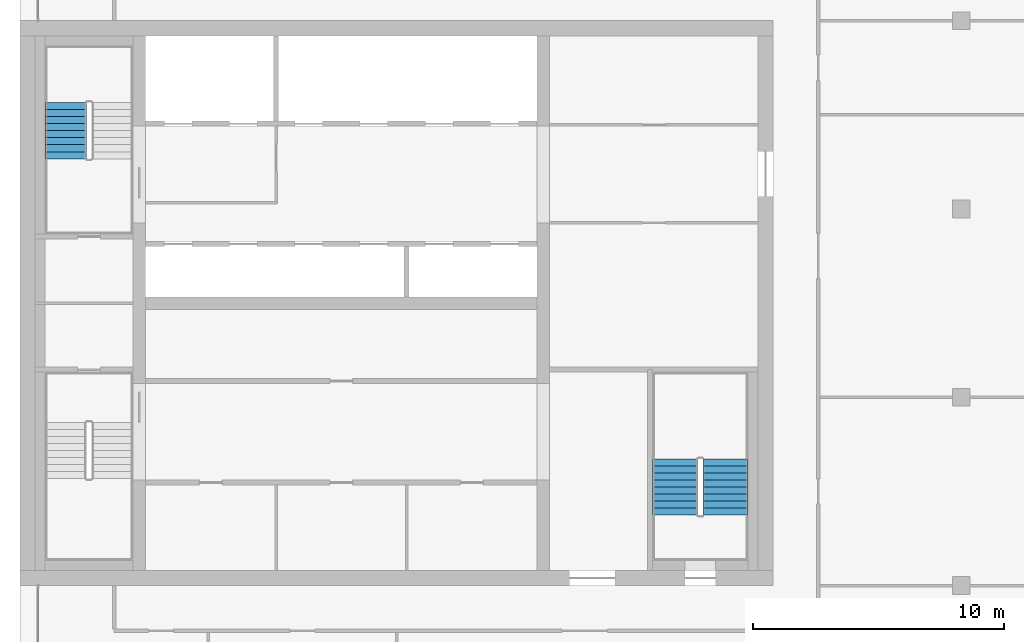
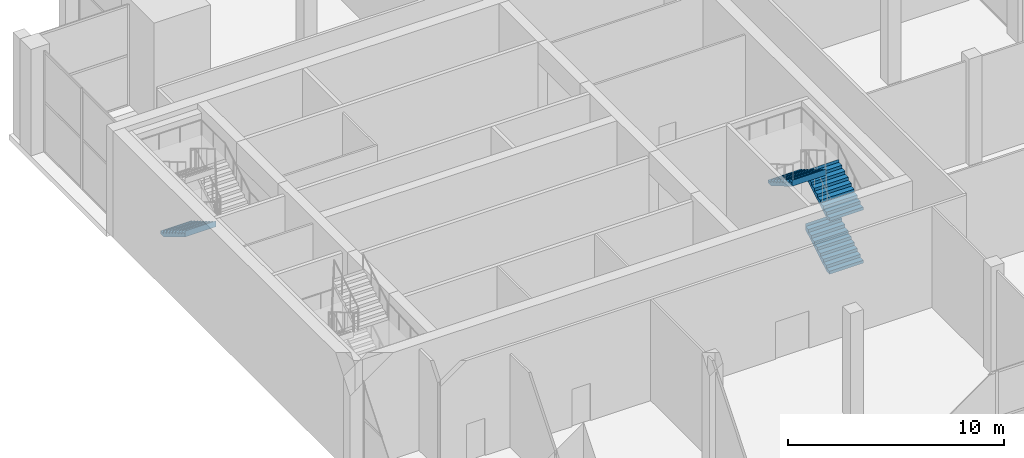
# One storey, part 12 of 15: 4 stair flights, 2 elements without a shape of their own.
"""IFC4 building model written with IfcOpenShell, lengths in metres."""

import ifcopenshell
import ifcopenshell.guid

model = None  # the IFC model being written
_history = None  # IfcOwnerHistory: only IFC2X3 demands one
_inside = {}  # id of a spatial element -> (the spatial element, [elements in it])
_under = {}  # id of a project, library or spatial element -> (it, [spatial elements below it])
_declared = {}  # id of a project -> (the project, [libraries it declares])
_typed = {}  # id of a type object -> (the type object, [elements of that type])
_made_of = {}  # id of a material, layer set ... -> (it, [elements and type objects made of it])


def new_model(schema):
    """Start an empty IFC model of exactly this schema.

    Asked for "IFC4X3", IfcOpenShell would pick the latest addendum, in which some entities
    have other attributes; the version numbers below select the first issue.
    IFC2X3 requires an IfcOwnerHistory on every rooted entity: one is made here for all.
    """
    global model, _history
    if schema == "IFC4X3":
        model = ifcopenshell.file(schema_version=(4, 3, 0, 0))
    else:
        model = ifcopenshell.file(schema=schema)
    _inside.clear()
    _under.clear()
    _declared.clear()
    _typed.clear()
    _made_of.clear()
    _history = None
    if model.schema == "IFC2X3":
        org = make("IfcOrganization", Name="unknown")
        user = make(
            "IfcPersonAndOrganization",
            ThePerson=make("IfcPerson", FamilyName="unknown"),
            TheOrganization=org,
        )
        app = make(
            "IfcApplication",
            ApplicationDeveloper=org,
            Version="unknown",
            ApplicationFullName="unknown",
            ApplicationIdentifier="unknown",
        )
        _history = make(
            "IfcOwnerHistory",
            OwningUser=user,
            OwningApplication=app,
            ChangeAction="ADDED",
            CreationDate=0,
        )
    return model


def make(cls, **values):
    """One entity of the class cls with the attributes given. An attribute that is None is left unset."""
    return model.create_entity(
        cls, **{name: value for name, value in values.items() if value is not None}
    )


def rooted(cls, **values):
    """An entity with a GlobalId (a new one), such as an element, a storey or a relation."""
    return make(cls, GlobalId=ifcopenshell.guid.new(), OwnerHistory=_history, **values)


def si_unit(unit_type, name, prefix=None):
    """IfcSIUnit, for example si_unit("LENGTHUNIT", "METRE", prefix="MILLI")."""
    return make("IfcSIUnit", UnitType=unit_type, Prefix=prefix, Name=name)


def assignment(units):
    """IfcUnitAssignment: the units of a project."""
    return None if units is None else make("IfcUnitAssignment", Units=units)


def point(xyz):
    """IfcCartesianPoint."""
    return None if xyz is None else make("IfcCartesianPoint", Coordinates=xyz)


def direction(xyz):
    """IfcDirection."""
    return None if xyz is None else make("IfcDirection", DirectionRatios=xyz)


def frame(location, z_axis=None, x_axis=None):
    """IfcAxis2Placement3D, a coordinate frame: its origin and axes. An axis left out is left unset."""
    return make(
        "IfcAxis2Placement3D",
        Location=point(location),
        Axis=direction(z_axis),
        RefDirection=direction(x_axis),
    )


def origin():
    """The frame at (0, 0, 0) with its axes left unset."""
    return frame((0.0, 0.0, 0.0))


def place(relative_to, where):
    """IfcLocalPlacement: puts the frame where relative to a parent placement (None: the world)."""
    return make(
        "IfcLocalPlacement", PlacementRelTo=relative_to, RelativePlacement=where
    )


def context(
    kind, dimensions, precision=None, world=None, true_north=None, identifier=None
):
    """IfcGeometricRepresentationContext, for example the 3D "Model" context."""
    return make(
        "IfcGeometricRepresentationContext",
        ContextIdentifier=identifier,
        ContextType=kind,
        CoordinateSpaceDimension=dimensions,
        Precision=precision,
        WorldCoordinateSystem=world,
        TrueNorth=true_north,
    )


def subcontext(parent, identifier, kind, view, scale=None):
    """IfcGeometricRepresentationSubContext, for example "Body" below "Model"."""
    return make(
        "IfcGeometricRepresentationSubContext",
        ContextIdentifier=identifier,
        ContextType=kind,
        ParentContext=parent,
        TargetScale=scale,
        TargetView=view,
    )


def project(units=None, contexts=None):
    """IfcProject with its units and contexts."""
    return rooted(
        "IfcProject",
        Name="project",
        RepresentationContexts=contexts,
        UnitsInContext=assignment(units),
    )


def spatial(cls, under=None, at=None, **own):
    """A site, building, storey or space (cls), placed at a placement, below another one or the project."""
    s = rooted(cls, ObjectPlacement=at, **own)
    if under is not None:
        _under.setdefault(under.id(), (under, []))[1].append(s)
    return s


def polyline(points):
    """IfcPolyline through the points."""
    return make("IfcPolyline", Points=[point(p) for p in points])


def outline(outer, holes=None, kind="AREA"):
    """IfcArbitraryClosedProfileDef: a profile drawn as a closed curve; with holes, ...WithVoids."""
    if holes is None:
        return make("IfcArbitraryClosedProfileDef", ProfileType=kind, OuterCurve=outer)
    return make(
        "IfcArbitraryProfileDefWithVoids",
        ProfileType=kind,
        OuterCurve=outer,
        InnerCurves=holes,
    )


def extrude(swept, where, along, depth):
    """IfcExtrudedAreaSolid: the profile swept, set in the frame where, extruded along a direction by depth."""
    return make(
        "IfcExtrudedAreaSolid",
        SweptArea=swept,
        Position=where,
        ExtrudedDirection=direction(along),
        Depth=depth,
    )


def shape(context_of_items, identifier, shape_type, items):
    """IfcShapeRepresentation: the items that make up one representation, for example the "Body"."""
    return make(
        "IfcShapeRepresentation",
        ContextOfItems=context_of_items,
        RepresentationIdentifier=identifier,
        RepresentationType=shape_type,
        Items=items,
    )


def material(Name=None, Category=None):
    """IfcMaterial."""
    return make("IfcMaterial", Name=Name, Category=Category)


def made_of(thing, what):
    """Note that an element or type object is made of a material, layer set ...; save() writes the relation."""
    if what is not None:
        _made_of.setdefault(what.id(), (what, []))[1].append(thing)
    return thing


def type_object(cls, material=None, **own):
    """A type object (cls), such as IfcWallType, which elements share."""
    return made_of(rooted(cls, **own), material)


def element(
    cls,
    number,
    at=None,
    inside=None,
    cuts=None,
    type_object=None,
    material=None,
    context=None,
    identifier="Body",
    shape_type=None,
    held_by="IfcProductDefinitionShape",
    body=None,
    shapes=None,
    **own,
):
    """One element of the class cls, such as IfcWall. Its Tag is "e" and its number.

    at: its placement. inside: the storey or other place that contains it. cuts: it is an
    opening in that element (IfcRelVoidsElement). A single representation is given by context,
    identifier, shape_type and body (its items); several are given by shapes. held_by: the class
    of the entity that holds the representations. save() writes the other relations.
    """
    e = rooted(cls, Tag="e%d" % number, ObjectPlacement=at, **own)
    if body is not None:
        shapes = [shape(context, identifier, shape_type, body)]
    if shapes is not None:
        e.Representation = make(held_by, Representations=shapes)
    if inside is not None:
        _inside.setdefault(inside.id(), (inside, []))[1].append(e)
    if cuts is not None:
        rooted(
            "IfcRelVoidsElement", RelatingBuildingElement=cuts, RelatedOpeningElement=e
        )
    if type_object is not None:
        _typed.setdefault(type_object.id(), (type_object, []))[1].append(e)
    return made_of(e, material)


def aggregate(whole, parts):
    """IfcRelAggregates: a whole, such as a stair, and the parts it consists of."""
    return rooted("IfcRelAggregates", RelatingObject=whole, RelatedObjects=parts)


def save(model, path):
    """Write the relations noted so far, then the file.

    IfcRelAggregates (storeys below a building ...), IfcRelContainedInSpatialStructure (elements
    in a storey), IfcRelDefinesByType, IfcRelAssociatesMaterial and IfcRelDeclares: one each for
    every whole, place, type object, material and project.
    """
    for whole, parts in _under.values():
        aggregate(whole, parts)
    for where, things in _inside.values():
        rooted(
            "IfcRelContainedInSpatialStructure",
            RelatedElements=things,
            RelatingStructure=where,
        )
    for kind, things in _typed.values():
        rooted("IfcRelDefinesByType", RelatedObjects=things, RelatingType=kind)
    for what, things in _made_of.values():
        rooted("IfcRelAssociatesMaterial", RelatedObjects=things, RelatingMaterial=what)
    for by, libraries in _declared.values():
        rooted("IfcRelDeclares", RelatingContext=by, RelatedDefinitions=libraries)
    model.write(path)


model = new_model("IFC4")

# Units and contexts
model_context = context("Model", 3, precision=1e-05, world=origin(), true_north=direction((0.0, 1.0)))
body_context = subcontext(model_context, "Body", "Model", "MODEL_VIEW")
ifc_project = project(units=[si_unit("LENGTHUNIT", "METRE"), si_unit("AREAUNIT", "SQUARE_METRE"), si_unit("VOLUMEUNIT", "CUBIC_METRE"), si_unit("PLANEANGLEUNIT", "RADIAN"), si_unit("MASSUNIT", "GRAM", prefix="KILO")], contexts=[model_context])

# Site, building, storey
site_placement = place(None, origin())
site = spatial("IfcSite", under=ifc_project, at=site_placement, CompositionType="ELEMENT")
building_placement = place(site_placement, origin())
building = spatial("IfcBuilding", under=site, at=building_placement, Name="Tamorin Gate", CompositionType="ELEMENT")
storey_placement = place(building_placement, frame((0.0, 0.0, 302.699951171875)))
storey = spatial("IfcBuildingStorey", under=building, at=storey_placement, Name="L75", CompositionType="ELEMENT", Elevation=302.699951171875)

# Stair, stair flight
ifc_material = material(Name="Concrete C40/50", Category="concrete")
stair_type = type_object("IfcStairType", Name="Exit stair", PredefinedType="HALF_TURN_STAIR", material=ifc_material)
stair_1_placement = place(storey_placement, origin())
stair_1 = element("IfcStair", 1, at=stair_1_placement, inside=storey, type_object=stair_type, Name="L75 stair ST2", PredefinedType="HALF_TURN_STAIR")
stair_flight_type = type_object("IfcStairFlightType", Name="Exit stair flight", PredefinedType="STRAIGHT", material=ifc_material)
stair_flight_1_placement = place(storey_placement, frame((31.824951171875, 79.239990234375, 1.5), z_axis=(0.0, 0.0, 1.0), x_axis=(0.0, -1.0, 0.0)))
stair_flight_1 = element("IfcStairFlight", 2, at=stair_flight_1_placement, type_object=stair_flight_type, Name="ST2 flight 2", NumberOfRisers=9, NumberOfTreads=8, PredefinedType="STRAIGHT", RiserHeight=0.166666667, TreadLength=0.28, context=body_context, shape_type="SweptSolid", body=[
    extrude(outline(polyline([(-0.00048828125, 0.0), (-0.00048828125, 0.001708984375), (-0.00048828125, 0.00341796875), (-0.00048828125, 0.0048828125), (-0.00048828125, 0.006591796875), (-0.00048828125, 0.00830078125), (-0.00048828125, 0.010009765625), (-0.00048828125, 0.011474609375), (-0.00048828125, 0.01318359375), (-0.00048828125, 0.014892578125), (-0.00048828125, 0.0166015625), (-0.00048828125, 0.01806640625), (-0.00048828125, 0.019775390625), (-0.00048828125, 0.021484375), (-0.00048828125, 0.023193359375), (-0.00048828125, 0.024658203125), (-0.00048828125, 0.0263671875), (-0.00048828125, 0.028076171875), (-0.00048828125, 0.02978515625), (-0.00048828125, 0.03125), (-0.00048828125, 0.032958984375), (-0.00048828125, 0.03466796875), (-0.00048828125, 0.036376953125), (-0.00048828125, 0.037841796875), (-0.00048828125, 0.03955078125), (-0.00048828125, 0.041259765625), (-0.00048828125, 0.04296875), (-0.00048828125, 0.04443359375), (-0.00048828125, 0.046142578125), (-0.00048828125, 0.0478515625), (-0.00048828125, 0.049560546875), (-0.00048828125, 0.05126953125), (-0.00048828125, 0.052734375), (-0.00048828125, 0.054443359375), (-0.00048828125, 0.05615234375), (-0.00048828125, 0.057861328125), (-0.00048828125, 0.059326171875), (-0.00048828125, 0.06103515625), (-0.00048828125, 0.062744140625), (-0.00048828125, 0.064453125), (-0.00048828125, 0.06591796875), (-0.00048828125, 0.067626953125), (-0.00048828125, 0.0693359375), (-0.00048828125, 0.071044921875), (-0.00048828125, 0.072509765625), (-0.00048828125, 0.07421875), (-0.00048828125, 0.075927734375), (-0.00048828125, 0.07763671875), (-0.00048828125, 0.0791015625), (-0.00048828125, 0.080810546875), (-0.00048828125, 0.08251953125), (-0.00048828125, 0.084228515625), (-0.00048828125, 0.085693359375), (-0.00048828125, 0.08740234375), (-0.00048828125, 0.089111328125), (-0.00048828125, 0.0908203125), (-0.00048828125, 0.092529296875), (-0.00048828125, 0.093994140625), (-0.00048828125, 0.095703125), (-0.00048828125, 0.097412109375), (-0.00048828125, 0.09912109375), (-0.00048828125, 0.1005859375), (-0.00048828125, 0.102294921875), (-0.00048828125, 0.10400390625), (-0.00048828125, 0.105712890625), (-0.00048828125, 0.107177734375), (-0.00048828125, 0.10888671875), (-0.00048828125, 0.110595703125), (-0.00048828125, 0.1123046875), (-0.00048828125, 0.11376953125), (-0.00048828125, 0.115478515625), (-0.00048828125, 0.1171875), (-0.00048828125, 0.118896484375), (-0.00048828125, 0.120361328125), (-0.00048828125, 0.1220703125), (-0.00048828125, 0.123779296875), (-0.00048828125, 0.12548828125), (-0.00048828125, 0.126953125), (-0.00048828125, 0.128662109375), (-0.00048828125, 0.13037109375), (-0.00048828125, 0.132080078125), (-0.00048828125, 0.133544921875), (-0.00048828125, 0.13525390625), (-0.00048828125, 0.136962890625), (-0.00048828125, 0.138671875), (-0.00048828125, 0.140380859375), (-0.00048828125, 0.141845703125), (-0.00048828125, 0.1435546875), (-0.00048828125, 0.145263671875), (-0.00048828125, 0.14697265625), (-0.00048828125, 0.1484375), (-0.00048828125, 0.150146484375), (-0.00048828125, 0.15185546875), (-0.00048828125, 0.153564453125), (-0.00048828125, 0.155029296875), (-0.00048828125, 0.15673828125), (-0.00048828125, 0.158447265625), (-0.00048828125, 0.16015625), (-0.00048828125, 0.16162109375), (-0.00048828125, 0.163330078125), (-0.00048828125, 0.1650390625), (-0.00048828125, 0.166748046875), (0.280029296875, 0.166748046875), (0.280029296875, 0.333251953125), (0.56005859375, 0.333251953125), (0.56005859375, 0.5), (0.840087890625, 0.5), (0.840087890625, 0.666748046875), (1.1201171875, 0.666748046875), (1.1201171875, 0.833251953125), (1.39990234375, 0.833251953125), (1.39990234375, 1.0), (1.679931640625, 1.0), (1.679931640625, 1.166748046875), (1.9599609375, 1.166748046875), (1.9599609375, 1.333251953125), (2.239990234375, 1.333251953125), (2.239990234375, 1.5), (2.240478515625, 1.5), (2.240478515625, 1.49658203125), (2.240478515625, 1.4931640625), (2.240478515625, 1.48974609375), (2.240478515625, 1.486572265625), (2.240478515625, 1.483154296875), (2.240478515625, 1.479736328125), (2.240478515625, 1.476318359375), (2.240478515625, 1.472900390625), (2.240478515625, 1.469482421875), (2.240478515625, 1.46630859375), (2.240478515625, 1.462890625), (2.240478515625, 1.45947265625), (2.240478515625, 1.4560546875), (2.240478515625, 1.45263671875), (2.240478515625, 1.44921875), (2.240478515625, 1.446044921875), (2.240478515625, 1.442626953125), (2.240478515625, 1.439208984375), (2.240478515625, 1.435791015625), (2.240478515625, 1.432373046875), (2.240478515625, 1.428955078125), (2.240478515625, 1.42578125), (2.240478515625, 1.42236328125), (2.240478515625, 1.4189453125), (2.240478515625, 1.41552734375), (2.240478515625, 1.412109375), (2.240478515625, 1.40869140625), (2.240478515625, 1.405517578125), (2.240478515625, 1.402099609375), (2.240478515625, 1.398681640625), (2.240478515625, 1.395263671875), (2.240478515625, 1.391845703125), (2.240478515625, 1.388427734375), (2.240478515625, 1.38525390625), (2.240478515625, 1.3818359375), (2.240478515625, 1.37841796875), (2.240478515625, 1.375), (2.240478515625, 1.37158203125), (2.240478515625, 1.3681640625), (2.240478515625, 1.364990234375), (2.240478515625, 1.361572265625), (2.240478515625, 1.358154296875), (2.240478515625, 1.354736328125), (2.240478515625, 1.351318359375), (2.240478515625, 1.347900390625), (2.240478515625, 1.3447265625), (2.240478515625, 1.34130859375), (2.240478515625, 1.337890625), (2.240478515625, 1.33447265625), (2.240478515625, 1.3310546875), (2.240478515625, 1.32763671875), (2.240478515625, 1.324462890625), (2.240478515625, 1.321044921875), (2.240478515625, 1.317626953125), (2.240478515625, 1.314208984375), (2.240478515625, 1.310791015625), (2.240478515625, 1.307373046875), (2.240478515625, 1.30419921875), (2.240478515625, 1.30078125), (2.240478515625, 1.29736328125), (2.240478515625, 1.2939453125), (2.240478515625, 1.29052734375), (2.240478515625, 1.287109375), (2.240478515625, 1.283935546875), (2.240478515625, 1.280517578125), (2.240478515625, 1.277099609375), (2.240478515625, 1.273681640625), (2.240478515625, 1.270263671875), (2.240478515625, 1.266845703125), (2.240478515625, 1.263671875), (2.240478515625, 1.26025390625), (2.240478515625, 1.2568359375), (2.240478515625, 1.25341796875), (2.240478515625, 1.25), (2.240478515625, 1.24658203125), (2.240478515625, 1.243408203125), (2.240478515625, 1.239990234375), (2.240478515625, 1.236572265625), (2.240478515625, 1.233154296875), (2.240478515625, 1.229736328125), (2.240478515625, 1.226318359375), (2.240478515625, 1.22314453125), (2.240478515625, 1.2197265625), (2.240478515625, 1.21630859375), (2.240478515625, 1.212890625), (2.240478515625, 1.20947265625), (2.240478515625, 1.2060546875), (2.240478515625, 1.202880859375), (2.240478515625, 1.199462890625), (2.240478515625, 1.196044921875), (2.240478515625, 1.192626953125), (2.240478515625, 1.189208984375), (2.240478515625, 1.185791015625), (2.240478515625, 1.1826171875), (2.240478515625, 1.17919921875), (2.240478515625, 1.17578125), (2.240478515625, 1.17236328125), (2.240478515625, 1.1689453125), (2.240478515625, 1.16552734375), (2.240478515625, 1.162353515625), (2.240478515625, 1.158935546875), (2.239990234375, 1.158935546875), (0.29296875, 0.0), (-0.00048828125, 0.0)])), frame((0.0, 0.824951171875, 0.0), z_axis=(0.0, -1.0, 0.0), x_axis=(1.0, 0.0, 0.0)), (0.0, 0.0, 1.0), 1.64990234375),
])
aggregate(stair_1, [stair_flight_1])

# Stair, stair flights
stair_2_placement = place(storey_placement, origin())
stair_2 = element("IfcStair", 3, at=stair_2_placement, inside=storey, type_object=stair_type, Name="L75 stair ST3", PredefinedType="HALF_TURN_STAIR")
stair_flight_2_placement = place(storey_placement, frame((58.10009765625, 62.800048828125, 0.0), z_axis=(0.0, 0.0, 1.0), x_axis=(0.0, 1.0, 0.0)))
stair_flight_2 = element("IfcStairFlight", 4, at=stair_flight_2_placement, type_object=stair_flight_type, Name="ST3 flight 1", NumberOfRisers=9, NumberOfTreads=8, PredefinedType="STRAIGHT", RiserHeight=0.166666667, TreadLength=0.28, context=body_context, shape_type="SweptSolid", body=[
    extrude(outline(polyline([(-0.00048828125, 0.0), (-0.00048828125, 0.001708984375), (-0.00048828125, 0.00341796875), (-0.00048828125, 0.0048828125), (-0.00048828125, 0.006591796875), (-0.00048828125, 0.00830078125), (-0.00048828125, 0.010009765625), (-0.00048828125, 0.011474609375), (-0.00048828125, 0.01318359375), (-0.00048828125, 0.014892578125), (-0.00048828125, 0.0166015625), (-0.00048828125, 0.01806640625), (-0.00048828125, 0.019775390625), (-0.00048828125, 0.021484375), (-0.00048828125, 0.023193359375), (-0.00048828125, 0.024658203125), (-0.00048828125, 0.0263671875), (-0.00048828125, 0.028076171875), (-0.00048828125, 0.02978515625), (-0.00048828125, 0.03125), (-0.00048828125, 0.032958984375), (-0.00048828125, 0.03466796875), (-0.00048828125, 0.036376953125), (-0.00048828125, 0.037841796875), (-0.00048828125, 0.03955078125), (-0.00048828125, 0.041259765625), (-0.00048828125, 0.04296875), (-0.00048828125, 0.04443359375), (-0.00048828125, 0.046142578125), (-0.00048828125, 0.0478515625), (-0.00048828125, 0.049560546875), (-0.00048828125, 0.05126953125), (-0.00048828125, 0.052734375), (-0.00048828125, 0.054443359375), (-0.00048828125, 0.05615234375), (-0.00048828125, 0.057861328125), (-0.00048828125, 0.059326171875), (-0.00048828125, 0.06103515625), (-0.00048828125, 0.062744140625), (-0.00048828125, 0.064453125), (-0.00048828125, 0.06591796875), (-0.00048828125, 0.067626953125), (-0.00048828125, 0.0693359375), (-0.00048828125, 0.071044921875), (-0.00048828125, 0.072509765625), (-0.00048828125, 0.07421875), (-0.00048828125, 0.075927734375), (-0.00048828125, 0.07763671875), (-0.00048828125, 0.0791015625), (-0.00048828125, 0.080810546875), (-0.00048828125, 0.08251953125), (-0.00048828125, 0.084228515625), (-0.00048828125, 0.085693359375), (-0.00048828125, 0.08740234375), (-0.00048828125, 0.089111328125), (-0.00048828125, 0.0908203125), (-0.00048828125, 0.092529296875), (-0.00048828125, 0.093994140625), (-0.00048828125, 0.095703125), (-0.00048828125, 0.097412109375), (-0.00048828125, 0.09912109375), (-0.00048828125, 0.1005859375), (-0.00048828125, 0.102294921875), (-0.00048828125, 0.10400390625), (-0.00048828125, 0.105712890625), (-0.00048828125, 0.107177734375), (-0.00048828125, 0.10888671875), (-0.00048828125, 0.110595703125), (-0.00048828125, 0.1123046875), (-0.00048828125, 0.11376953125), (-0.00048828125, 0.115478515625), (-0.00048828125, 0.1171875), (-0.00048828125, 0.118896484375), (-0.00048828125, 0.120361328125), (-0.00048828125, 0.1220703125), (-0.00048828125, 0.123779296875), (-0.00048828125, 0.12548828125), (-0.00048828125, 0.126953125), (-0.00048828125, 0.128662109375), (-0.00048828125, 0.13037109375), (-0.00048828125, 0.132080078125), (-0.00048828125, 0.133544921875), (-0.00048828125, 0.13525390625), (-0.00048828125, 0.136962890625), (-0.00048828125, 0.138671875), (-0.00048828125, 0.140380859375), (-0.00048828125, 0.141845703125), (-0.00048828125, 0.1435546875), (-0.00048828125, 0.145263671875), (-0.00048828125, 0.14697265625), (-0.00048828125, 0.1484375), (-0.00048828125, 0.150146484375), (-0.00048828125, 0.15185546875), (-0.00048828125, 0.153564453125), (-0.00048828125, 0.155029296875), (-0.00048828125, 0.15673828125), (-0.00048828125, 0.158447265625), (-0.00048828125, 0.16015625), (-0.00048828125, 0.16162109375), (-0.00048828125, 0.163330078125), (-0.00048828125, 0.1650390625), (-0.00048828125, 0.166748046875), (0.280029296875, 0.166748046875), (0.280029296875, 0.333251953125), (0.56005859375, 0.333251953125), (0.56005859375, 0.5), (0.840087890625, 0.5), (0.840087890625, 0.666748046875), (1.1201171875, 0.666748046875), (1.1201171875, 0.833251953125), (1.39990234375, 0.833251953125), (1.39990234375, 1.0), (1.679931640625, 1.0), (1.679931640625, 1.166748046875), (1.9599609375, 1.166748046875), (1.9599609375, 1.333251953125), (2.239990234375, 1.333251953125), (2.239990234375, 1.5), (2.240478515625, 1.5), (2.240478515625, 1.49658203125), (2.240478515625, 1.4931640625), (2.240478515625, 1.48974609375), (2.240478515625, 1.486572265625), (2.240478515625, 1.483154296875), (2.240478515625, 1.479736328125), (2.240478515625, 1.476318359375), (2.240478515625, 1.472900390625), (2.240478515625, 1.469482421875), (2.240478515625, 1.46630859375), (2.240478515625, 1.462890625), (2.240478515625, 1.45947265625), (2.240478515625, 1.4560546875), (2.240478515625, 1.45263671875), (2.240478515625, 1.44921875), (2.240478515625, 1.446044921875), (2.240478515625, 1.442626953125), (2.240478515625, 1.439208984375), (2.240478515625, 1.435791015625), (2.240478515625, 1.432373046875), (2.240478515625, 1.428955078125), (2.240478515625, 1.42578125), (2.240478515625, 1.42236328125), (2.240478515625, 1.4189453125), (2.240478515625, 1.41552734375), (2.240478515625, 1.412109375), (2.240478515625, 1.40869140625), (2.240478515625, 1.405517578125), (2.240478515625, 1.402099609375), (2.240478515625, 1.398681640625), (2.240478515625, 1.395263671875), (2.240478515625, 1.391845703125), (2.240478515625, 1.388427734375), (2.240478515625, 1.38525390625), (2.240478515625, 1.3818359375), (2.240478515625, 1.37841796875), (2.240478515625, 1.375), (2.240478515625, 1.37158203125), (2.240478515625, 1.3681640625), (2.240478515625, 1.364990234375), (2.240478515625, 1.361572265625), (2.240478515625, 1.358154296875), (2.240478515625, 1.354736328125), (2.240478515625, 1.351318359375), (2.240478515625, 1.347900390625), (2.240478515625, 1.3447265625), (2.240478515625, 1.34130859375), (2.240478515625, 1.337890625), (2.240478515625, 1.33447265625), (2.240478515625, 1.3310546875), (2.240478515625, 1.32763671875), (2.240478515625, 1.324462890625), (2.240478515625, 1.321044921875), (2.240478515625, 1.317626953125), (2.240478515625, 1.314208984375), (2.240478515625, 1.310791015625), (2.240478515625, 1.307373046875), (2.240478515625, 1.30419921875), (2.240478515625, 1.30078125), (2.240478515625, 1.29736328125), (2.240478515625, 1.2939453125), (2.240478515625, 1.29052734375), (2.240478515625, 1.287109375), (2.240478515625, 1.283935546875), (2.240478515625, 1.280517578125), (2.240478515625, 1.277099609375), (2.240478515625, 1.273681640625), (2.240478515625, 1.270263671875), (2.240478515625, 1.266845703125), (2.240478515625, 1.263671875), (2.240478515625, 1.26025390625), (2.240478515625, 1.2568359375), (2.240478515625, 1.25341796875), (2.240478515625, 1.25), (2.240478515625, 1.24658203125), (2.240478515625, 1.243408203125), (2.240478515625, 1.239990234375), (2.240478515625, 1.236572265625), (2.240478515625, 1.233154296875), (2.240478515625, 1.229736328125), (2.240478515625, 1.226318359375), (2.240478515625, 1.22314453125), (2.240478515625, 1.2197265625), (2.240478515625, 1.21630859375), (2.240478515625, 1.212890625), (2.240478515625, 1.20947265625), (2.240478515625, 1.2060546875), (2.240478515625, 1.202880859375), (2.240478515625, 1.199462890625), (2.240478515625, 1.196044921875), (2.240478515625, 1.192626953125), (2.240478515625, 1.189208984375), (2.240478515625, 1.185791015625), (2.240478515625, 1.1826171875), (2.240478515625, 1.17919921875), (2.240478515625, 1.17578125), (2.240478515625, 1.17236328125), (2.240478515625, 1.1689453125), (2.240478515625, 1.16552734375), (2.240478515625, 1.162353515625), (2.240478515625, 1.158935546875), (2.239990234375, 1.158935546875), (0.29296875, 0.0), (-0.00048828125, 0.0)])), frame((0.0, 0.89990234375, 0.0), z_axis=(0.0, -1.0, 0.0), x_axis=(1.0, 0.0, 0.0)), (0.0, 0.0, 1.0), 1.800048828125),
])
stair_flight_3_placement = place(storey_placement, frame((58.10009765625, 62.800048828125, 3.0), z_axis=(0.0, 0.0, 1.0), x_axis=(0.0, 1.0, 0.0)))
stair_flight_3 = element("IfcStairFlight", 5, at=stair_flight_3_placement, type_object=stair_flight_type, Name="ST3 flight 3", NumberOfRisers=9, NumberOfTreads=8, PredefinedType="STRAIGHT", RiserHeight=0.166666667, TreadLength=0.28, context=body_context, shape_type="SweptSolid", body=[
    extrude(outline(polyline([(-0.00048828125, 0.0), (-0.00048828125, 0.001708984375), (-0.00048828125, 0.00341796875), (-0.00048828125, 0.0048828125), (-0.00048828125, 0.006591796875), (-0.00048828125, 0.00830078125), (-0.00048828125, 0.010009765625), (-0.00048828125, 0.011474609375), (-0.00048828125, 0.01318359375), (-0.00048828125, 0.014892578125), (-0.00048828125, 0.0166015625), (-0.00048828125, 0.01806640625), (-0.00048828125, 0.019775390625), (-0.00048828125, 0.021484375), (-0.00048828125, 0.023193359375), (-0.00048828125, 0.024658203125), (-0.00048828125, 0.0263671875), (-0.00048828125, 0.028076171875), (-0.00048828125, 0.02978515625), (-0.00048828125, 0.03125), (-0.00048828125, 0.032958984375), (-0.00048828125, 0.03466796875), (-0.00048828125, 0.036376953125), (-0.00048828125, 0.037841796875), (-0.00048828125, 0.03955078125), (-0.00048828125, 0.041259765625), (-0.00048828125, 0.04296875), (-0.00048828125, 0.04443359375), (-0.00048828125, 0.046142578125), (-0.00048828125, 0.0478515625), (-0.00048828125, 0.049560546875), (-0.00048828125, 0.05126953125), (-0.00048828125, 0.052734375), (-0.00048828125, 0.054443359375), (-0.00048828125, 0.05615234375), (-0.00048828125, 0.057861328125), (-0.00048828125, 0.059326171875), (-0.00048828125, 0.06103515625), (-0.00048828125, 0.062744140625), (-0.00048828125, 0.064453125), (-0.00048828125, 0.06591796875), (-0.00048828125, 0.067626953125), (-0.00048828125, 0.0693359375), (-0.00048828125, 0.071044921875), (-0.00048828125, 0.072509765625), (-0.00048828125, 0.07421875), (-0.00048828125, 0.075927734375), (-0.00048828125, 0.07763671875), (-0.00048828125, 0.0791015625), (-0.00048828125, 0.080810546875), (-0.00048828125, 0.08251953125), (-0.00048828125, 0.084228515625), (-0.00048828125, 0.085693359375), (-0.00048828125, 0.08740234375), (-0.00048828125, 0.089111328125), (-0.00048828125, 0.0908203125), (-0.00048828125, 0.092529296875), (-0.00048828125, 0.093994140625), (-0.00048828125, 0.095703125), (-0.00048828125, 0.097412109375), (-0.00048828125, 0.09912109375), (-0.00048828125, 0.1005859375), (-0.00048828125, 0.102294921875), (-0.00048828125, 0.10400390625), (-0.00048828125, 0.105712890625), (-0.00048828125, 0.107177734375), (-0.00048828125, 0.10888671875), (-0.00048828125, 0.110595703125), (-0.00048828125, 0.1123046875), (-0.00048828125, 0.11376953125), (-0.00048828125, 0.115478515625), (-0.00048828125, 0.1171875), (-0.00048828125, 0.118896484375), (-0.00048828125, 0.120361328125), (-0.00048828125, 0.1220703125), (-0.00048828125, 0.123779296875), (-0.00048828125, 0.12548828125), (-0.00048828125, 0.126953125), (-0.00048828125, 0.128662109375), (-0.00048828125, 0.13037109375), (-0.00048828125, 0.132080078125), (-0.00048828125, 0.133544921875), (-0.00048828125, 0.13525390625), (-0.00048828125, 0.136962890625), (-0.00048828125, 0.138671875), (-0.00048828125, 0.140380859375), (-0.00048828125, 0.141845703125), (-0.00048828125, 0.1435546875), (-0.00048828125, 0.145263671875), (-0.00048828125, 0.14697265625), (-0.00048828125, 0.1484375), (-0.00048828125, 0.150146484375), (-0.00048828125, 0.15185546875), (-0.00048828125, 0.153564453125), (-0.00048828125, 0.155029296875), (-0.00048828125, 0.15673828125), (-0.00048828125, 0.158447265625), (-0.00048828125, 0.16015625), (-0.00048828125, 0.16162109375), (-0.00048828125, 0.163330078125), (-0.00048828125, 0.1650390625), (-0.00048828125, 0.166748046875), (0.280029296875, 0.166748046875), (0.280029296875, 0.333251953125), (0.56005859375, 0.333251953125), (0.56005859375, 0.5), (0.840087890625, 0.5), (0.840087890625, 0.666748046875), (1.1201171875, 0.666748046875), (1.1201171875, 0.833251953125), (1.39990234375, 0.833251953125), (1.39990234375, 1.0), (1.679931640625, 1.0), (1.679931640625, 1.166748046875), (1.9599609375, 1.166748046875), (1.9599609375, 1.333251953125), (2.239990234375, 1.333251953125), (2.239990234375, 1.5), (2.240478515625, 1.5), (2.240478515625, 1.49658203125), (2.240478515625, 1.4931640625), (2.240478515625, 1.48974609375), (2.240478515625, 1.486572265625), (2.240478515625, 1.483154296875), (2.240478515625, 1.479736328125), (2.240478515625, 1.476318359375), (2.240478515625, 1.472900390625), (2.240478515625, 1.469482421875), (2.240478515625, 1.46630859375), (2.240478515625, 1.462890625), (2.240478515625, 1.45947265625), (2.240478515625, 1.4560546875), (2.240478515625, 1.45263671875), (2.240478515625, 1.44921875), (2.240478515625, 1.446044921875), (2.240478515625, 1.442626953125), (2.240478515625, 1.439208984375), (2.240478515625, 1.435791015625), (2.240478515625, 1.432373046875), (2.240478515625, 1.428955078125), (2.240478515625, 1.42578125), (2.240478515625, 1.42236328125), (2.240478515625, 1.4189453125), (2.240478515625, 1.41552734375), (2.240478515625, 1.412109375), (2.240478515625, 1.40869140625), (2.240478515625, 1.405517578125), (2.240478515625, 1.402099609375), (2.240478515625, 1.398681640625), (2.240478515625, 1.395263671875), (2.240478515625, 1.391845703125), (2.240478515625, 1.388427734375), (2.240478515625, 1.38525390625), (2.240478515625, 1.3818359375), (2.240478515625, 1.37841796875), (2.240478515625, 1.375), (2.240478515625, 1.37158203125), (2.240478515625, 1.3681640625), (2.240478515625, 1.364990234375), (2.240478515625, 1.361572265625), (2.240478515625, 1.358154296875), (2.240478515625, 1.354736328125), (2.240478515625, 1.351318359375), (2.240478515625, 1.347900390625), (2.240478515625, 1.3447265625), (2.240478515625, 1.34130859375), (2.240478515625, 1.337890625), (2.240478515625, 1.33447265625), (2.240478515625, 1.3310546875), (2.240478515625, 1.32763671875), (2.240478515625, 1.324462890625), (2.240478515625, 1.321044921875), (2.240478515625, 1.317626953125), (2.240478515625, 1.314208984375), (2.240478515625, 1.310791015625), (2.240478515625, 1.307373046875), (2.240478515625, 1.30419921875), (2.240478515625, 1.30078125), (2.240478515625, 1.29736328125), (2.240478515625, 1.2939453125), (2.240478515625, 1.29052734375), (2.240478515625, 1.287109375), (2.240478515625, 1.283935546875), (2.240478515625, 1.280517578125), (2.240478515625, 1.277099609375), (2.240478515625, 1.273681640625), (2.240478515625, 1.270263671875), (2.240478515625, 1.266845703125), (2.240478515625, 1.263671875), (2.240478515625, 1.26025390625), (2.240478515625, 1.2568359375), (2.240478515625, 1.25341796875), (2.240478515625, 1.25), (2.240478515625, 1.24658203125), (2.240478515625, 1.243408203125), (2.240478515625, 1.239990234375), (2.240478515625, 1.236572265625), (2.240478515625, 1.233154296875), (2.240478515625, 1.229736328125), (2.240478515625, 1.226318359375), (2.240478515625, 1.22314453125), (2.240478515625, 1.2197265625), (2.240478515625, 1.21630859375), (2.240478515625, 1.212890625), (2.240478515625, 1.20947265625), (2.240478515625, 1.2060546875), (2.240478515625, 1.202880859375), (2.240478515625, 1.199462890625), (2.240478515625, 1.196044921875), (2.240478515625, 1.192626953125), (2.240478515625, 1.189208984375), (2.240478515625, 1.185791015625), (2.240478515625, 1.1826171875), (2.240478515625, 1.17919921875), (2.240478515625, 1.17578125), (2.240478515625, 1.17236328125), (2.240478515625, 1.1689453125), (2.240478515625, 1.16552734375), (2.240478515625, 1.162353515625), (2.240478515625, 1.158935546875), (2.239990234375, 1.158935546875), (0.29296875, 0.0), (-0.00048828125, 0.0)])), frame((0.0, 0.89990234375, 0.0), z_axis=(0.0, -1.0, 0.0), x_axis=(1.0, 0.0, 0.0)), (0.0, 0.0, 1.0), 1.800048828125),
])
stair_flight_4_placement = place(storey_placement, frame((56.10009765625, 65.0400390625, 4.5), z_axis=(0.0, 0.0, 1.0), x_axis=(0.0, -1.0, 0.0)))
stair_flight_4 = element("IfcStairFlight", 6, at=stair_flight_4_placement, type_object=stair_flight_type, Name="ST3 flight 4", NumberOfRisers=9, NumberOfTreads=8, PredefinedType="STRAIGHT", RiserHeight=0.166666667, TreadLength=0.28, context=body_context, shape_type="SweptSolid", body=[
    extrude(outline(polyline([(-0.00048828125, 0.0), (-0.00048828125, 0.001708984375), (-0.00048828125, 0.00341796875), (-0.00048828125, 0.0048828125), (-0.00048828125, 0.006591796875), (-0.00048828125, 0.00830078125), (-0.00048828125, 0.010009765625), (-0.00048828125, 0.011474609375), (-0.00048828125, 0.01318359375), (-0.00048828125, 0.014892578125), (-0.00048828125, 0.0166015625), (-0.00048828125, 0.01806640625), (-0.00048828125, 0.019775390625), (-0.00048828125, 0.021484375), (-0.00048828125, 0.023193359375), (-0.00048828125, 0.024658203125), (-0.00048828125, 0.0263671875), (-0.00048828125, 0.028076171875), (-0.00048828125, 0.02978515625), (-0.00048828125, 0.03125), (-0.00048828125, 0.032958984375), (-0.00048828125, 0.03466796875), (-0.00048828125, 0.036376953125), (-0.00048828125, 0.037841796875), (-0.00048828125, 0.03955078125), (-0.00048828125, 0.041259765625), (-0.00048828125, 0.04296875), (-0.00048828125, 0.04443359375), (-0.00048828125, 0.046142578125), (-0.00048828125, 0.0478515625), (-0.00048828125, 0.049560546875), (-0.00048828125, 0.05126953125), (-0.00048828125, 0.052734375), (-0.00048828125, 0.054443359375), (-0.00048828125, 0.05615234375), (-0.00048828125, 0.057861328125), (-0.00048828125, 0.059326171875), (-0.00048828125, 0.06103515625), (-0.00048828125, 0.062744140625), (-0.00048828125, 0.064453125), (-0.00048828125, 0.06591796875), (-0.00048828125, 0.067626953125), (-0.00048828125, 0.0693359375), (-0.00048828125, 0.071044921875), (-0.00048828125, 0.072509765625), (-0.00048828125, 0.07421875), (-0.00048828125, 0.075927734375), (-0.00048828125, 0.07763671875), (-0.00048828125, 0.0791015625), (-0.00048828125, 0.080810546875), (-0.00048828125, 0.08251953125), (-0.00048828125, 0.084228515625), (-0.00048828125, 0.085693359375), (-0.00048828125, 0.08740234375), (-0.00048828125, 0.089111328125), (-0.00048828125, 0.0908203125), (-0.00048828125, 0.092529296875), (-0.00048828125, 0.093994140625), (-0.00048828125, 0.095703125), (-0.00048828125, 0.097412109375), (-0.00048828125, 0.09912109375), (-0.00048828125, 0.1005859375), (-0.00048828125, 0.102294921875), (-0.00048828125, 0.10400390625), (-0.00048828125, 0.105712890625), (-0.00048828125, 0.107177734375), (-0.00048828125, 0.10888671875), (-0.00048828125, 0.110595703125), (-0.00048828125, 0.1123046875), (-0.00048828125, 0.11376953125), (-0.00048828125, 0.115478515625), (-0.00048828125, 0.1171875), (-0.00048828125, 0.118896484375), (-0.00048828125, 0.120361328125), (-0.00048828125, 0.1220703125), (-0.00048828125, 0.123779296875), (-0.00048828125, 0.12548828125), (-0.00048828125, 0.126953125), (-0.00048828125, 0.128662109375), (-0.00048828125, 0.13037109375), (-0.00048828125, 0.132080078125), (-0.00048828125, 0.133544921875), (-0.00048828125, 0.13525390625), (-0.00048828125, 0.136962890625), (-0.00048828125, 0.138671875), (-0.00048828125, 0.140380859375), (-0.00048828125, 0.141845703125), (-0.00048828125, 0.1435546875), (-0.00048828125, 0.145263671875), (-0.00048828125, 0.14697265625), (-0.00048828125, 0.1484375), (-0.00048828125, 0.150146484375), (-0.00048828125, 0.15185546875), (-0.00048828125, 0.153564453125), (-0.00048828125, 0.155029296875), (-0.00048828125, 0.15673828125), (-0.00048828125, 0.158447265625), (-0.00048828125, 0.16015625), (-0.00048828125, 0.16162109375), (-0.00048828125, 0.163330078125), (-0.00048828125, 0.1650390625), (-0.00048828125, 0.166748046875), (0.280029296875, 0.166748046875), (0.280029296875, 0.333251953125), (0.56005859375, 0.333251953125), (0.56005859375, 0.5), (0.840087890625, 0.5), (0.840087890625, 0.666748046875), (1.1201171875, 0.666748046875), (1.1201171875, 0.833251953125), (1.39990234375, 0.833251953125), (1.39990234375, 1.0), (1.679931640625, 1.0), (1.679931640625, 1.166748046875), (1.9599609375, 1.166748046875), (1.9599609375, 1.333251953125), (2.239990234375, 1.333251953125), (2.239990234375, 1.5), (2.240478515625, 1.5), (2.240478515625, 1.49658203125), (2.240478515625, 1.4931640625), (2.240478515625, 1.48974609375), (2.240478515625, 1.486572265625), (2.240478515625, 1.483154296875), (2.240478515625, 1.479736328125), (2.240478515625, 1.476318359375), (2.240478515625, 1.472900390625), (2.240478515625, 1.469482421875), (2.240478515625, 1.46630859375), (2.240478515625, 1.462890625), (2.240478515625, 1.45947265625), (2.240478515625, 1.4560546875), (2.240478515625, 1.45263671875), (2.240478515625, 1.44921875), (2.240478515625, 1.446044921875), (2.240478515625, 1.442626953125), (2.240478515625, 1.439208984375), (2.240478515625, 1.435791015625), (2.240478515625, 1.432373046875), (2.240478515625, 1.428955078125), (2.240478515625, 1.42578125), (2.240478515625, 1.42236328125), (2.240478515625, 1.4189453125), (2.240478515625, 1.41552734375), (2.240478515625, 1.412109375), (2.240478515625, 1.40869140625), (2.240478515625, 1.405517578125), (2.240478515625, 1.402099609375), (2.240478515625, 1.398681640625), (2.240478515625, 1.395263671875), (2.240478515625, 1.391845703125), (2.240478515625, 1.388427734375), (2.240478515625, 1.38525390625), (2.240478515625, 1.3818359375), (2.240478515625, 1.37841796875), (2.240478515625, 1.375), (2.240478515625, 1.37158203125), (2.240478515625, 1.3681640625), (2.240478515625, 1.364990234375), (2.240478515625, 1.361572265625), (2.240478515625, 1.358154296875), (2.240478515625, 1.354736328125), (2.240478515625, 1.351318359375), (2.240478515625, 1.347900390625), (2.240478515625, 1.3447265625), (2.240478515625, 1.34130859375), (2.240478515625, 1.337890625), (2.240478515625, 1.33447265625), (2.240478515625, 1.3310546875), (2.240478515625, 1.32763671875), (2.240478515625, 1.324462890625), (2.240478515625, 1.321044921875), (2.240478515625, 1.317626953125), (2.240478515625, 1.314208984375), (2.240478515625, 1.310791015625), (2.240478515625, 1.307373046875), (2.240478515625, 1.30419921875), (2.240478515625, 1.30078125), (2.240478515625, 1.29736328125), (2.240478515625, 1.2939453125), (2.240478515625, 1.29052734375), (2.240478515625, 1.287109375), (2.240478515625, 1.283935546875), (2.240478515625, 1.280517578125), (2.240478515625, 1.277099609375), (2.240478515625, 1.273681640625), (2.240478515625, 1.270263671875), (2.240478515625, 1.266845703125), (2.240478515625, 1.263671875), (2.240478515625, 1.26025390625), (2.240478515625, 1.2568359375), (2.240478515625, 1.25341796875), (2.240478515625, 1.25), (2.240478515625, 1.24658203125), (2.240478515625, 1.243408203125), (2.240478515625, 1.239990234375), (2.240478515625, 1.236572265625), (2.240478515625, 1.233154296875), (2.240478515625, 1.229736328125), (2.240478515625, 1.226318359375), (2.240478515625, 1.22314453125), (2.240478515625, 1.2197265625), (2.240478515625, 1.21630859375), (2.240478515625, 1.212890625), (2.240478515625, 1.20947265625), (2.240478515625, 1.2060546875), (2.240478515625, 1.202880859375), (2.240478515625, 1.199462890625), (2.240478515625, 1.196044921875), (2.240478515625, 1.192626953125), (2.240478515625, 1.189208984375), (2.240478515625, 1.185791015625), (2.240478515625, 1.1826171875), (2.240478515625, 1.17919921875), (2.240478515625, 1.17578125), (2.240478515625, 1.17236328125), (2.240478515625, 1.1689453125), (2.240478515625, 1.16552734375), (2.240478515625, 1.162353515625), (2.240478515625, 1.158935546875), (2.239990234375, 1.158935546875), (0.29296875, 0.0), (-0.00048828125, 0.0)])), frame((0.0, 0.89990234375, 0.0), z_axis=(0.0, -1.0, 0.0), x_axis=(1.0, 0.0, 0.0)), (0.0, 0.0, 1.0), 1.800048828125),
])
aggregate(stair_2, [stair_flight_2, stair_flight_3, stair_flight_4])

save(model, "model.ifc")
